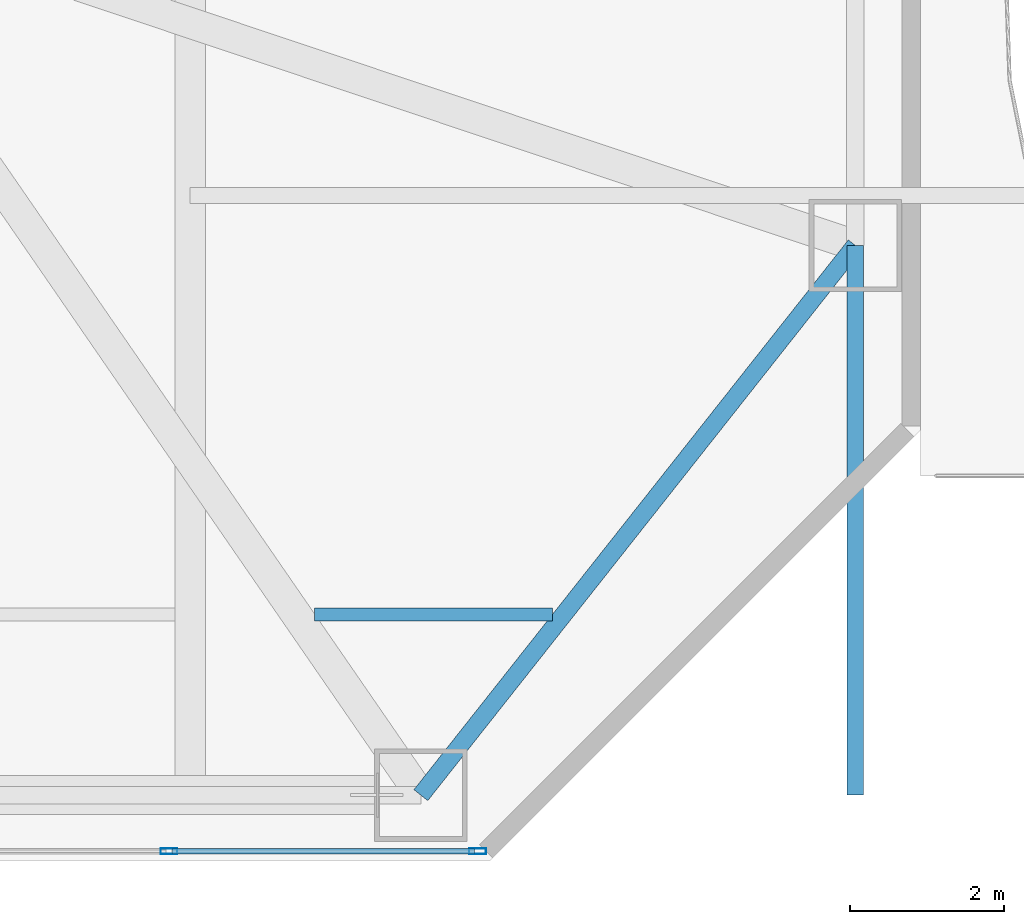
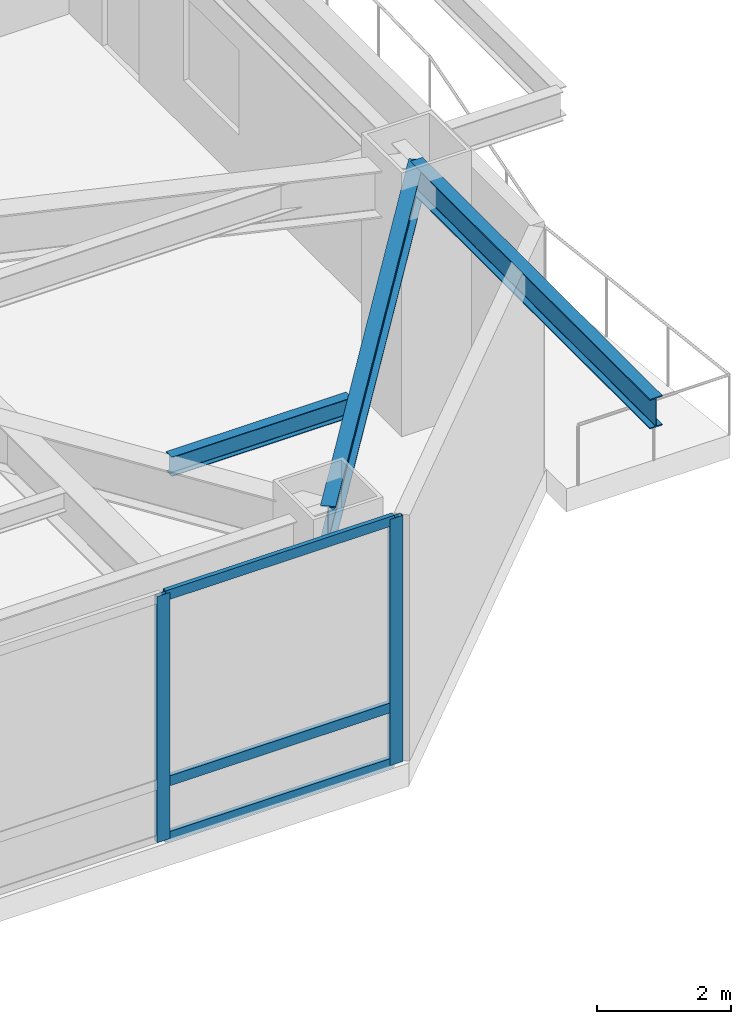
# One storey, part 8 of 33: 5 members, 3 beams, 1 element without a shape of its own.
"""IFC4 building model written with IfcOpenShell, lengths in metres."""

from ifc_helpers import new_model, si_unit, direction, frame, origin, origin_2d, place, context, subcontext, project, spatial, hollow_rectangle, i_section, extrude, material, material_profile, profile_set, type_object, element, aggregate, save


model = new_model("IFC4")

# Units and contexts
model_context = context("Model", 3, precision=1e-05, world=origin(), true_north=direction((0.0, 1.0)))
body_context = subcontext(model_context, "Body", "Model", "MODEL_VIEW")
ifc_project = project(units=[si_unit("LENGTHUNIT", "METRE"), si_unit("AREAUNIT", "SQUARE_METRE"), si_unit("VOLUMEUNIT", "CUBIC_METRE"), si_unit("PLANEANGLEUNIT", "RADIAN"), si_unit("MASSUNIT", "GRAM", prefix="KILO")], contexts=[model_context])

# Site, building, storey
site_placement = place(None, origin())
site = spatial("IfcSite", under=ifc_project, at=site_placement, CompositionType="ELEMENT")
building_placement = place(site_placement, origin())
building = spatial("IfcBuilding", under=site, at=building_placement, Name="Khamvora Tower", CompositionType="ELEMENT")
storey_placement = place(building_placement, frame((0.0, 0.0, 7.199951171875)))
storey = spatial("IfcBuildingStorey", under=building, at=storey_placement, Name="L01", CompositionType="ELEMENT", Elevation=7.199951171875)

# Beams
ifc_material_1 = material(Name="Steel S355", Category="steel")
ifc_material_profile_1 = material_profile(ifc_material_1, i_section(OverallWidth=0.1708984375, OverallDepth=0.35498046875, WebThickness=0.007080078125, FlangeThickness=0.011962890625, FilletRadius=0.010009765625, at=origin_2d()), Name="W360x51")
ifc_profile_set_1 = profile_set([ifc_material_profile_1], Name="Steel S355")
beam_type_1 = type_object("IfcBeamType", Name="BM-JS-W360x51", PredefinedType="JOIST", material=ifc_profile_set_1)
beam_1_placement = place(storey_placement, frame((48.117919921875, 3.199951171875, 4.302001953125), z_axis=(1.0, 0.0, 0.0), x_axis=(0.0, 1.0, 0.0)))
element("IfcBeam", 1, at=beam_1_placement, inside=storey, type_object=beam_type_1, Name="L01 secondary floor joist 06", PredefinedType="JOIST", context=body_context, shape_type="SweptSolid", body=[
    extrude(i_section(OverallWidth=0.1708984375, OverallDepth=0.35498046875, WebThickness=0.007080078125, FlangeThickness=0.011962890625, FilletRadius=0.010009765625, at=origin_2d()), origin(), (0.0, 0.0, 1.0), 3.09716796875),
])
ifc_material_profile_2 = material_profile(ifc_material_1, i_section(OverallWidth=0.2119140625, OverallDepth=0.5439453125, WebThickness=0.012939453125, FlangeThickness=0.02099609375, FilletRadius=0.013916015625, at=origin_2d()), Name="W530x123")
ifc_profile_set_2 = profile_set([ifc_material_profile_2], Name="Steel S355")
beam_type_2 = type_object("IfcBeamType", Name="BM-SP-W530x123", PredefinedType="SPANDREL", material=ifc_profile_set_2)
beam_2_placement = place(storey_placement, frame((55.14990234375, 0.85009765625, 4.2080078125), z_axis=(0.0, 1.0, 0.0), x_axis=(-1.0, 0.0, 0.0)))
element("IfcBeam", 2, at=beam_2_placement, inside=storey, type_object=beam_type_2, Name="L01 E perimeter edge spandrel 1", PredefinedType="SPANDREL", context=body_context, shape_type="SweptSolid", body=[
    extrude(i_section(OverallWidth=0.2119140625, OverallDepth=0.5439453125, WebThickness=0.012939453125, FlangeThickness=0.02099609375, FilletRadius=0.013916015625, at=origin_2d()), origin(), (0.0, 0.0, 1.0), 7.14990234375),
])
ifc_material_profile_3 = material_profile(ifc_material_1, i_section(OverallWidth=0.22998046875, OverallDepth=0.616943359375, WebThickness=0.012939453125, FlangeThickness=0.02197265625, FilletRadius=0.013916015625, at=origin_2d()), Name="W610x140")
ifc_profile_set_3 = profile_set([ifc_material_profile_3], Name="Steel S355")
beam_type_3 = type_object("IfcBeamType", Name="BM-SP-W610x140", PredefinedType="SPANDREL", material=ifc_profile_set_3)
beam_3_placement = place(storey_placement, frame((49.5, 0.85009765625, 4.171142578125), z_axis=(0.619998635429, 0.784602888133, 0.0), x_axis=(-0.784602888133, 0.619998635429, 0.0)))
element("IfcBeam", 3, at=beam_3_placement, inside=storey, type_object=beam_type_3, Name="L01 perimeter spandrel beam P04-P13", PredefinedType="SPANDREL", context=body_context, shape_type="SweptSolid", body=[
    extrude(i_section(OverallWidth=0.22998046875, OverallDepth=0.616943359375, WebThickness=0.012939453125, FlangeThickness=0.02197265625, FilletRadius=0.013916015625, at=origin_2d()), origin(), (0.0, 0.0, 1.0), 9.11279296875),
])

# Curtain wall, members
ifc_material_2 = material(Name="Anodised Aluminium 6063-T6", Category="aluminium")
curtain_wall_type = type_object("IfcCurtainWallType", Name="CW-SYS-01", PredefinedType="NOTDEFINED", material=ifc_material_2)
curtain_wall_placement = place(storey_placement, origin())
curtain_wall = element("IfcCurtainWall", 4, at=curtain_wall_placement, inside=storey, type_object=curtain_wall_type, Name="L01 stick curtain wall 14.1", PredefinedType="NOTDEFINED")
ifc_material_profile_4 = material_profile(ifc_material_2, hollow_rectangle(XDim=0.074951171875, YDim=0.219970703125, WallThickness=0.0048828125, at=origin_2d()), Name="MUL75x220x5")
ifc_profile_set_4 = profile_set([ifc_material_profile_4], Name="Anodised Aluminium 6063-T6")
member_type_1 = type_object("IfcMemberType", Name="CW-SYS-01-MUL", PredefinedType="MULLION", material=ifc_profile_set_4)
member_1_placement = place(storey_placement, frame((50.237548828125, 0.1201171875, 0.0), z_axis=(0.0, 0.0, 1.0), x_axis=(0.0, -1.0, 0.0)))
member_1 = element("IfcMember", 5, at=member_1_placement, type_object=member_type_1, Name="CW-01 mullion 1", PredefinedType="MULLION", context=body_context, shape_type="SweptSolid", body=[
    extrude(hollow_rectangle(XDim=0.074951171875, YDim=0.219970703125, WallThickness=0.0048828125, at=origin_2d()), origin(), (0.0, 0.0, 1.0), 4.47998046875),
])
member_2_placement = place(storey_placement, frame((46.22509765625, 0.1201171875, 0.0), z_axis=(0.0, 0.0, 1.0), x_axis=(0.0, -1.0, 0.0)))
member_2 = element("IfcMember", 6, at=member_2_placement, type_object=member_type_1, Name="CW-01 mullion 2", PredefinedType="MULLION", context=body_context, shape_type="SweptSolid", body=[
    extrude(hollow_rectangle(XDim=0.074951171875, YDim=0.219970703125, WallThickness=0.0048828125, at=origin_2d()), origin(), (0.0, 0.0, 1.0), 4.47998046875),
])
ifc_material_profile_5 = material_profile(ifc_material_2, hollow_rectangle(XDim=0.074951171875, YDim=0.179931640625, WallThickness=0.0048828125, at=origin_2d()), Name="TRN75x180x5")
ifc_profile_set_5 = profile_set([ifc_material_profile_5], Name="Anodised Aluminium 6063-T6")
member_type_2 = type_object("IfcMemberType", Name="CW-SYS-01-TRN", PredefinedType="USERDEFINED", material=ifc_profile_set_5)
member_3_placement = place(storey_placement, frame((50.199951171875, 0.1201171875, 0.03759765625), z_axis=(-1.0, 0.0, 0.0), x_axis=(0.0, -1.0, 0.0)))
member_3 = element("IfcMember", 7, at=member_3_placement, type_object=member_type_2, Name="CW-01 transom 1.1", ObjectType="TRANSOM", PredefinedType="USERDEFINED", context=body_context, shape_type="SweptSolid", body=[
    extrude(hollow_rectangle(XDim=0.074951171875, YDim=0.179931640625, WallThickness=0.0048828125, at=origin_2d()), origin(), (0.0, 0.0, 1.0), 3.9375),
])
member_4_placement = place(storey_placement, frame((50.199951171875, 0.1201171875, 1.050048828125), z_axis=(-1.0, 0.0, 0.0), x_axis=(0.0, -1.0, 0.0)))
member_4 = element("IfcMember", 8, at=member_4_placement, type_object=member_type_2, Name="CW-01 transom 1.2", ObjectType="TRANSOM", PredefinedType="USERDEFINED", context=body_context, shape_type="SweptSolid", body=[
    extrude(hollow_rectangle(XDim=0.074951171875, YDim=0.179931640625, WallThickness=0.0048828125, at=origin_2d()), origin(), (0.0, 0.0, 1.0), 3.9375),
])
member_5_placement = place(storey_placement, frame((50.199951171875, 0.1201171875, 4.442626953125), z_axis=(-1.0, 0.0, 0.0), x_axis=(0.0, -1.0, 0.0)))
member_5 = element("IfcMember", 9, at=member_5_placement, type_object=member_type_2, Name="CW-01 transom 1.3", ObjectType="TRANSOM", PredefinedType="USERDEFINED", context=body_context, shape_type="SweptSolid", body=[
    extrude(hollow_rectangle(XDim=0.074951171875, YDim=0.179931640625, WallThickness=0.0048828125, at=origin_2d()), origin(), (0.0, 0.0, 1.0), 3.9375),
])
aggregate(curtain_wall, [member_1, member_2, member_3, member_4, member_5])

save(model, "model.ifc")
